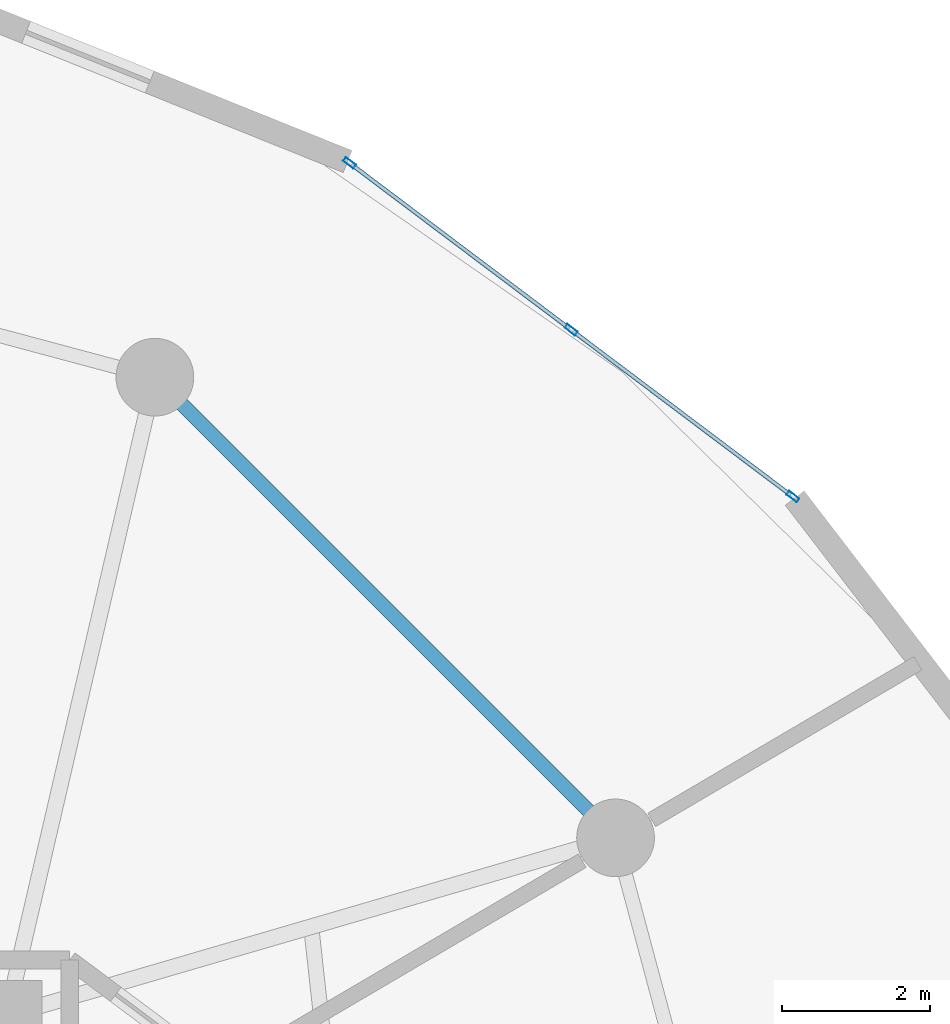
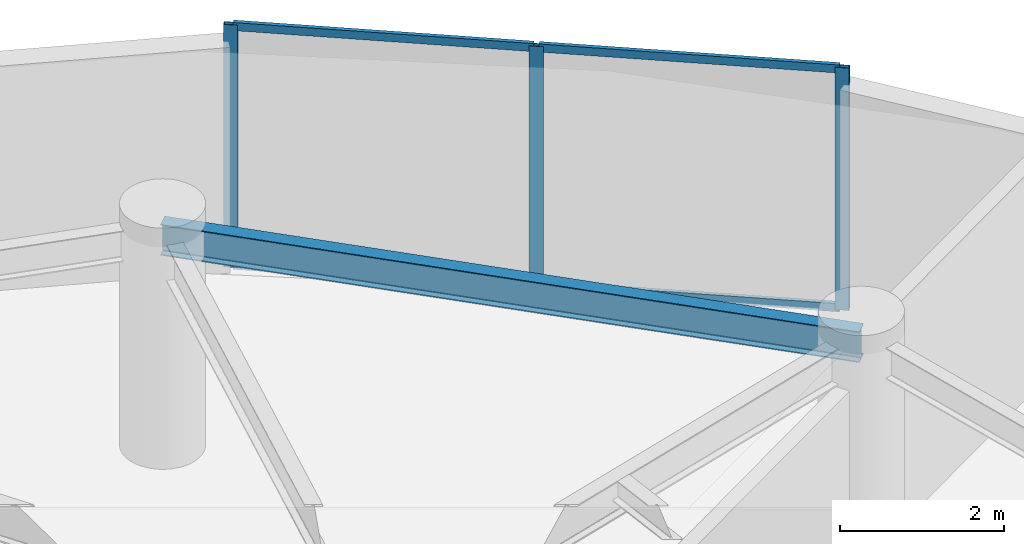
# One storey, part 19 of 25: 7 members, 1 beam, 1 element without a shape of its own.
"""IFC4 building model written with IfcOpenShell, lengths in metres."""

from ifc_helpers import new_model, si_unit, direction, frame, origin, origin_2d, place, context, subcontext, project, spatial, hollow_rectangle, i_section, extrude, source, transform, mapped, material, layer, layer_set, material_profile, profile_set, type_object, element, aggregate, save


model = new_model("IFC4")

# Units and contexts
model_context = context("Model", 3, precision=1e-05, world=origin(), true_north=direction((0.0, 1.0)))
body_context = subcontext(model_context, "Body", "Model", "MODEL_VIEW")
ifc_project = project(units=[si_unit("LENGTHUNIT", "METRE"), si_unit("AREAUNIT", "SQUARE_METRE"), si_unit("VOLUMEUNIT", "CUBIC_METRE"), si_unit("PLANEANGLEUNIT", "RADIAN"), si_unit("MASSUNIT", "GRAM", prefix="KILO")], contexts=[model_context])

# Site, building, storey
site_placement = place(None, origin())
site = spatial("IfcSite", under=ifc_project, at=site_placement, CompositionType="ELEMENT")
building_placement = place(site_placement, origin())
building = spatial("IfcBuilding", under=site, at=building_placement, Name="Solvirekh Grand Hotel", CompositionType="ELEMENT")
storey_placement = place(building_placement, frame((0.0, 0.0, 102.60009765625)))
storey = spatial("IfcBuildingStorey", under=building, at=storey_placement, Name="L25", CompositionType="ELEMENT", Elevation=102.60009765625)

# Beam
ifc_material_1 = material(Name="Steel S355", Category="steel")
ifc_material_profile_1 = material_profile(ifc_material_1, i_section(OverallWidth=0.18994140625, OverallDepth=0.45703125, WebThickness=0.009033203125, FlangeThickness=0.013916015625, FilletRadius=0.012939453125, at=origin_2d()), Name="W460X74")
ifc_profile_set_1 = profile_set([ifc_material_profile_1], Name="Steel S355")
beam_type = type_object("IfcBeamType", Name="Spandrel_Ring_W460", PredefinedType="SPANDREL", material=ifc_profile_set_1)
beam_placement = place(storey_placement, frame((14.721923828125, 8.5, 3.121826171875), z_axis=(-0.707106781187, 0.707106781187, 0.0), x_axis=(-0.707106781187, -0.707106781187, 0.0)))
element("IfcBeam", 1, at=beam_placement, inside=storey, type_object=beam_type, Name="L25 perimeter spandrel beam 2", PredefinedType="SPANDREL", context=body_context, shape_type="SweptSolid", body=[
    extrude(i_section(OverallWidth=0.18994140625, OverallDepth=0.45703125, WebThickness=0.009033203125, FlangeThickness=0.013916015625, FilletRadius=0.012939453125, at=origin_2d()), origin(), (0.0, 0.0, 1.0), 8.799072265625),
])

# Curtain wall, members
ifc_material_2 = material(Name="Anodized Bronze Aluminium 6063-T6", Category="aluminium")
ifc_layer = layer(ifc_material_2, 0.175048828125)
ifc_layer_set = layer_set([ifc_layer], Name="Anodized Bronze Aluminium 6063-T6")
curtain_wall_type = type_object("IfcCurtainWallType", Name="CW_Sys3_MidZoneFlushBronzeCW", PredefinedType="NOTDEFINED", material=ifc_layer_set)
curtain_wall_placement = place(storey_placement, origin())
curtain_wall = element("IfcCurtainWall", 2, at=curtain_wall_placement, inside=storey, type_object=curtain_wall_type, Name="L25 unitised bronze-glass curtain wall CW-L25-C05", PredefinedType="NOTDEFINED")
ifc_material_profile_2 = material_profile(ifc_material_2, hollow_rectangle(XDim=0.06494140625, YDim=0.175048828125, WallThickness=0.0048828125, at=origin_2d()), Name="ALU RHS 175X65X5")
ifc_profile_set_2 = profile_set([ifc_material_profile_2], Name="Anodized Bronze Aluminium 6063-T6")
member_type_1 = type_object("IfcMemberType", Name="CWMullion_Sys3", PredefinedType="MULLION", material=ifc_profile_set_2)
shared_shape_1 = source(origin(), body_context, "Body", "SweptSolid", [
    extrude(hollow_rectangle(XDim=0.06494140625, YDim=0.175048828125, WallThickness=0.0048828125, at=origin_2d()), origin(), (0.0, 0.0, 1.0), 3.599853515625),
])
member_1_placement = place(storey_placement, frame((17.115966796875, 13.108642578125, 0.0), z_axis=(0.0, 0.0, 1.0), x_axis=(-0.601417269489, -0.798935083696, 0.0)))
member_1 = element("IfcMember", 3, at=member_1_placement, type_object=member_type_1, Name="U03 mullion 1", PredefinedType="MULLION", context=body_context, shape_type="MappedRepresentation", body=[
    mapped(shared_shape_1, transform((0.0, 0.0, 0.0), x_axis=(1.0, 0.0, 0.0), y_axis=(0.0, 1.0, 0.0), z_axis=(0.0, 0.0, 1.0), scale=1.0)),
])
member_2_placement = place(storey_placement, frame((14.12255859375, 15.362060546875, 0.0), z_axis=(0.0, 0.0, 1.0), x_axis=(-0.601417269489, -0.798935083696, 0.0)))
member_2 = element("IfcMember", 4, at=member_2_placement, type_object=member_type_1, Name="U03 mullion 2", PredefinedType="MULLION", context=body_context, shape_type="MappedRepresentation", body=[
    mapped(shared_shape_1, transform((0.0, 0.0, 0.0), x_axis=(1.0, 0.0, 0.0), y_axis=(0.0, 1.0, 0.0), z_axis=(0.0, 0.0, 1.0), scale=1.0)),
])
member_3_placement = place(storey_placement, frame((11.12890625, 17.615478515625, 0.0), z_axis=(0.0, 0.0, 1.0), x_axis=(-0.601417269489, -0.798935083696, 0.0)))
member_3 = element("IfcMember", 5, at=member_3_placement, type_object=member_type_1, Name="U03 mullion 3", PredefinedType="MULLION", context=body_context, shape_type="MappedRepresentation", body=[
    mapped(shared_shape_1, transform((0.0, 0.0, 0.0), x_axis=(1.0, 0.0, 0.0), y_axis=(0.0, 1.0, 0.0), z_axis=(0.0, 0.0, 1.0), scale=1.0)),
])
ifc_material_profile_3 = material_profile(ifc_material_2, hollow_rectangle(XDim=0.054931640625, YDim=0.1201171875, WallThickness=0.00390625, at=origin_2d()), Name="ALU RHS 120X55X4")
ifc_profile_set_3 = profile_set([ifc_material_profile_3], Name="Anodized Bronze Aluminium 6063-T6")
member_type_2 = type_object("IfcMemberType", Name="CWTransom_Sys3", PredefinedType="USERDEFINED", material=ifc_profile_set_3)
shared_shape_2 = source(origin(), body_context, "Body", "SweptSolid", [
    extrude(hollow_rectangle(XDim=0.054931640625, YDim=0.1201171875, WallThickness=0.00390625, at=origin_2d()), origin(), (0.0, 0.0, 1.0), 3.681884765625),
])
member_4_placement = place(storey_placement, frame((17.090087890625, 13.128173828125, 0.02734375), z_axis=(-0.798940486048, 0.601410092826, 0.0), x_axis=(-0.601410092826, -0.798940486048, 0.0)))
member_4 = element("IfcMember", 6, at=member_4_placement, type_object=member_type_2, Name="U03 transom 1.1", ObjectType="TRANSOM", PredefinedType="USERDEFINED", context=body_context, shape_type="MappedRepresentation", body=[
    mapped(shared_shape_2, transform((0.0, 0.0, 0.0), x_axis=(1.0, 0.0, 0.0), y_axis=(0.0, 1.0, 0.0), z_axis=(0.0, 0.0, 1.0), scale=1.0)),
])
member_5_placement = place(storey_placement, frame((17.090087890625, 13.128173828125, 3.572509765625), z_axis=(-0.798940486048, 0.601410092826, 0.0), x_axis=(-0.601410092826, -0.798940486048, 0.0)))
member_5 = element("IfcMember", 7, at=member_5_placement, type_object=member_type_2, Name="U03 transom 1.2", ObjectType="TRANSOM", PredefinedType="USERDEFINED", context=body_context, shape_type="MappedRepresentation", body=[
    mapped(shared_shape_2, transform((0.0, 0.0, 0.0), x_axis=(1.0, 0.0, 0.0), y_axis=(0.0, 1.0, 0.0), z_axis=(0.0, 0.0, 1.0), scale=1.0)),
])
shared_shape_3 = source(origin(), body_context, "Body", "SweptSolid", [
    extrude(hollow_rectangle(XDim=0.054931640625, YDim=0.1201171875, WallThickness=0.00390625, at=origin_2d()), origin(), (0.0, 0.0, 1.0), 3.681640625),
])
member_6_placement = place(storey_placement, frame((14.096435546875, 15.381591796875, 0.02734375), z_axis=(-0.798916501068, 0.601441954241, 0.0), x_axis=(-0.601441954241, -0.798916501068, 0.0)))
member_6 = element("IfcMember", 8, at=member_6_placement, type_object=member_type_2, Name="U03 transom 2.1", ObjectType="TRANSOM", PredefinedType="USERDEFINED", context=body_context, shape_type="MappedRepresentation", body=[
    mapped(shared_shape_3, transform((0.0, 0.0, 0.0), x_axis=(1.0, 0.0, 0.0), y_axis=(0.0, 1.0, 0.0), z_axis=(0.0, 0.0, 1.0), scale=1.0)),
])
member_7_placement = place(storey_placement, frame((14.096435546875, 15.381591796875, 3.572509765625), z_axis=(-0.798916501068, 0.601441954241, 0.0), x_axis=(-0.601441954241, -0.798916501068, 0.0)))
member_7 = element("IfcMember", 9, at=member_7_placement, type_object=member_type_2, Name="U03 transom 2.2", ObjectType="TRANSOM", PredefinedType="USERDEFINED", context=body_context, shape_type="MappedRepresentation", body=[
    mapped(shared_shape_3, transform((0.0, 0.0, 0.0), x_axis=(1.0, 0.0, 0.0), y_axis=(0.0, 1.0, 0.0), z_axis=(0.0, 0.0, 1.0), scale=1.0)),
])
aggregate(curtain_wall, [member_1, member_2, member_3, member_4, member_5, member_6, member_7])

save(model, "model.ifc")
